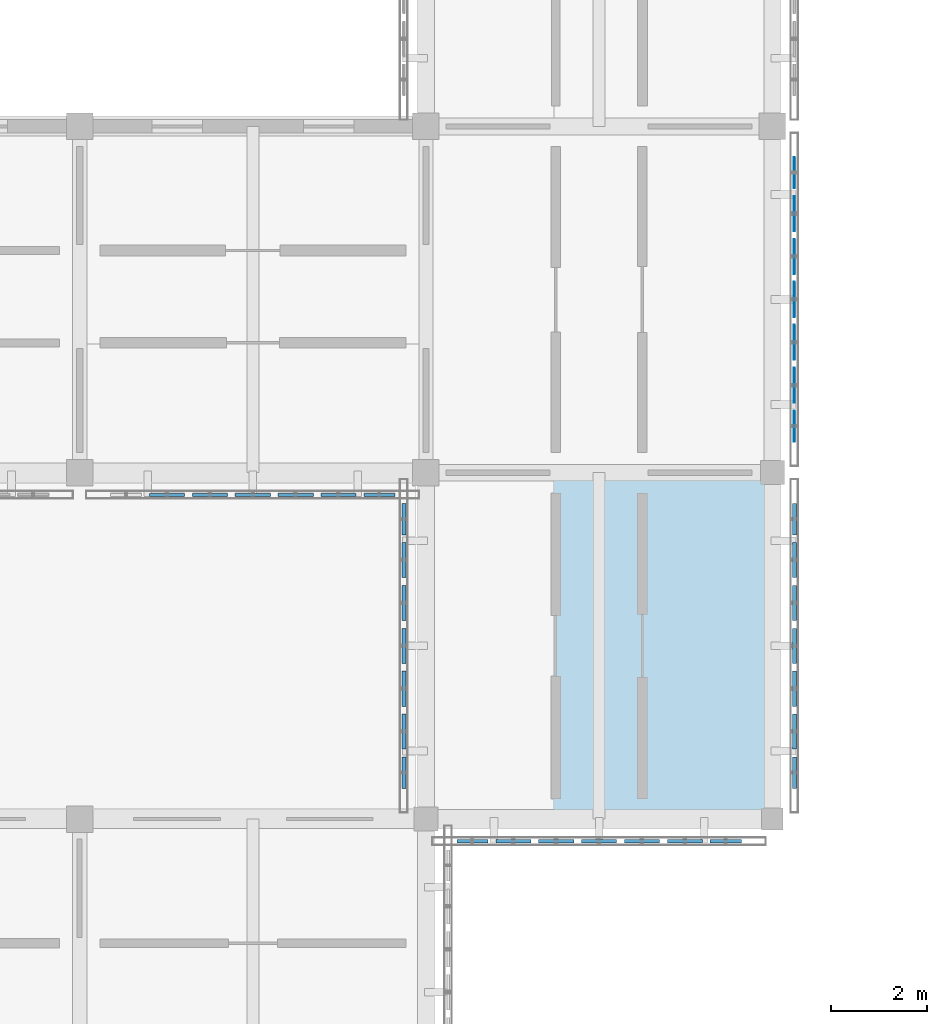
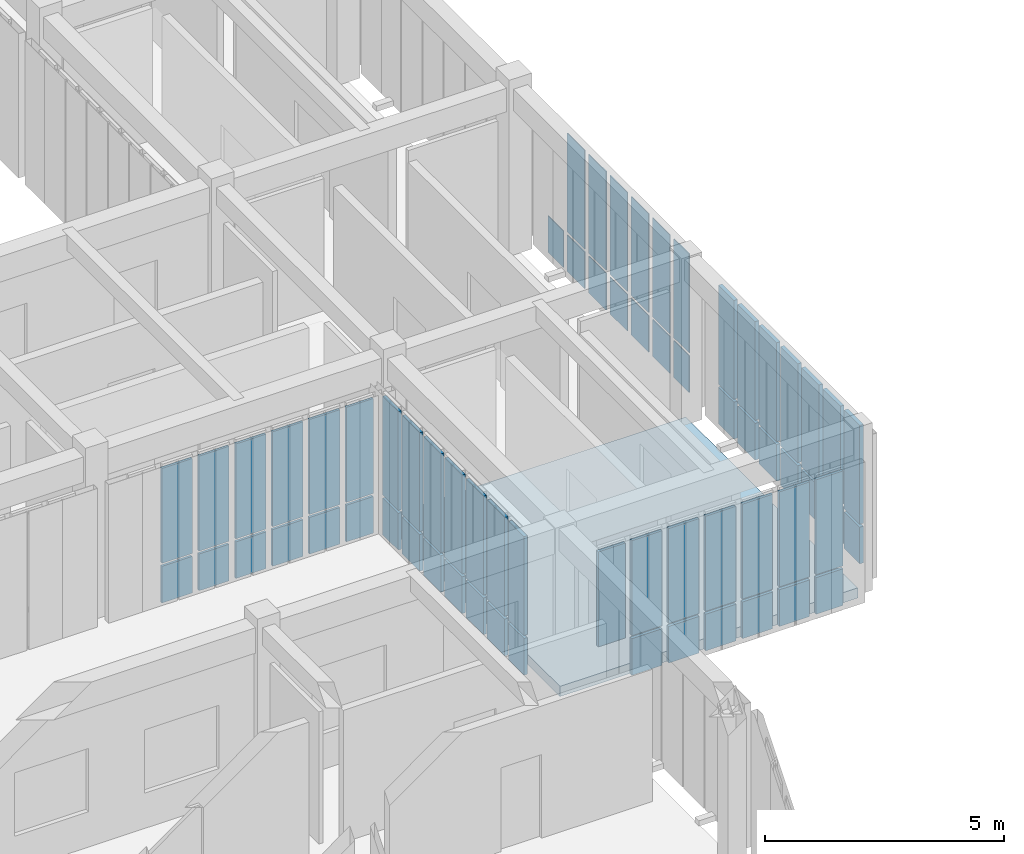
# One storey, part 48 of 91: 66 plates, 1 slab, 5 elements without a shape of their own.
"""IFC4 building model written with IfcOpenShell, lengths in metres."""

import ifcopenshell
import ifcopenshell.guid

model = None  # the IFC model being written
_history = None  # IfcOwnerHistory: only IFC2X3 demands one
_inside = {}  # id of a spatial element -> (the spatial element, [elements in it])
_under = {}  # id of a project, library or spatial element -> (it, [spatial elements below it])
_declared = {}  # id of a project -> (the project, [libraries it declares])
_typed = {}  # id of a type object -> (the type object, [elements of that type])
_made_of = {}  # id of a material, layer set ... -> (it, [elements and type objects made of it])


def new_model(schema):
    """Start an empty IFC model of exactly this schema.

    Asked for "IFC4X3", IfcOpenShell would pick the latest addendum, in which some entities
    have other attributes; the version numbers below select the first issue.
    IFC2X3 requires an IfcOwnerHistory on every rooted entity: one is made here for all.
    """
    global model, _history
    if schema == "IFC4X3":
        model = ifcopenshell.file(schema_version=(4, 3, 0, 0))
    else:
        model = ifcopenshell.file(schema=schema)
    _inside.clear()
    _under.clear()
    _declared.clear()
    _typed.clear()
    _made_of.clear()
    _history = None
    if model.schema == "IFC2X3":
        org = make("IfcOrganization", Name="unknown")
        user = make(
            "IfcPersonAndOrganization",
            ThePerson=make("IfcPerson", FamilyName="unknown"),
            TheOrganization=org,
        )
        app = make(
            "IfcApplication",
            ApplicationDeveloper=org,
            Version="unknown",
            ApplicationFullName="unknown",
            ApplicationIdentifier="unknown",
        )
        _history = make(
            "IfcOwnerHistory",
            OwningUser=user,
            OwningApplication=app,
            ChangeAction="ADDED",
            CreationDate=0,
        )
    return model


def make(cls, **values):
    """One entity of the class cls with the attributes given. An attribute that is None is left unset."""
    return model.create_entity(
        cls, **{name: value for name, value in values.items() if value is not None}
    )


def rooted(cls, **values):
    """An entity with a GlobalId (a new one), such as an element, a storey or a relation."""
    return make(cls, GlobalId=ifcopenshell.guid.new(), OwnerHistory=_history, **values)


def si_unit(unit_type, name, prefix=None):
    """IfcSIUnit, for example si_unit("LENGTHUNIT", "METRE", prefix="MILLI")."""
    return make("IfcSIUnit", UnitType=unit_type, Prefix=prefix, Name=name)


def assignment(units):
    """IfcUnitAssignment: the units of a project."""
    return None if units is None else make("IfcUnitAssignment", Units=units)


def point(xyz):
    """IfcCartesianPoint."""
    return None if xyz is None else make("IfcCartesianPoint", Coordinates=xyz)


def direction(xyz):
    """IfcDirection."""
    return None if xyz is None else make("IfcDirection", DirectionRatios=xyz)


def frame(location, z_axis=None, x_axis=None):
    """IfcAxis2Placement3D, a coordinate frame: its origin and axes. An axis left out is left unset."""
    return make(
        "IfcAxis2Placement3D",
        Location=point(location),
        Axis=direction(z_axis),
        RefDirection=direction(x_axis),
    )


def frame_2d(location, x_axis=None):
    """IfcAxis2Placement2D, a coordinate frame in the plane: its origin and x axis."""
    return make(
        "IfcAxis2Placement2D", Location=point(location), RefDirection=direction(x_axis)
    )


def origin():
    """The frame at (0, 0, 0) with its axes left unset."""
    return frame((0.0, 0.0, 0.0))


def origin_2d():
    """The frame at (0, 0) in the plane with its x axis left unset."""
    return frame_2d((0.0, 0.0))


def place(relative_to, where):
    """IfcLocalPlacement: puts the frame where relative to a parent placement (None: the world)."""
    return make(
        "IfcLocalPlacement", PlacementRelTo=relative_to, RelativePlacement=where
    )


def context(
    kind, dimensions, precision=None, world=None, true_north=None, identifier=None
):
    """IfcGeometricRepresentationContext, for example the 3D "Model" context."""
    return make(
        "IfcGeometricRepresentationContext",
        ContextIdentifier=identifier,
        ContextType=kind,
        CoordinateSpaceDimension=dimensions,
        Precision=precision,
        WorldCoordinateSystem=world,
        TrueNorth=true_north,
    )


def subcontext(parent, identifier, kind, view, scale=None):
    """IfcGeometricRepresentationSubContext, for example "Body" below "Model"."""
    return make(
        "IfcGeometricRepresentationSubContext",
        ContextIdentifier=identifier,
        ContextType=kind,
        ParentContext=parent,
        TargetScale=scale,
        TargetView=view,
    )


def project(units=None, contexts=None):
    """IfcProject with its units and contexts."""
    return rooted(
        "IfcProject",
        Name="project",
        RepresentationContexts=contexts,
        UnitsInContext=assignment(units),
    )


def spatial(cls, under=None, at=None, **own):
    """A site, building, storey or space (cls), placed at a placement, below another one or the project."""
    s = rooted(cls, ObjectPlacement=at, **own)
    if under is not None:
        _under.setdefault(under.id(), (under, []))[1].append(s)
    return s


def polyline(points):
    """IfcPolyline through the points."""
    return make("IfcPolyline", Points=[point(p) for p in points])


def profile(cls, at=None, kind="AREA", **sizes):
    """A parametric profile (cls). Its sizes go by their IFC names, for example OverallWidth=200.0."""
    return make(cls, ProfileType=kind, Position=at, **sizes)


def rectangle(**sizes):
    """IfcRectangleProfileDef."""
    return profile("IfcRectangleProfileDef", **sizes)


def outline(outer, holes=None, kind="AREA"):
    """IfcArbitraryClosedProfileDef: a profile drawn as a closed curve; with holes, ...WithVoids."""
    if holes is None:
        return make("IfcArbitraryClosedProfileDef", ProfileType=kind, OuterCurve=outer)
    return make(
        "IfcArbitraryProfileDefWithVoids",
        ProfileType=kind,
        OuterCurve=outer,
        InnerCurves=holes,
    )


def extrude(swept, where, along, depth):
    """IfcExtrudedAreaSolid: the profile swept, set in the frame where, extruded along a direction by depth."""
    return make(
        "IfcExtrudedAreaSolid",
        SweptArea=swept,
        Position=where,
        ExtrudedDirection=direction(along),
        Depth=depth,
    )


def shape(context_of_items, identifier, shape_type, items):
    """IfcShapeRepresentation: the items that make up one representation, for example the "Body"."""
    return make(
        "IfcShapeRepresentation",
        ContextOfItems=context_of_items,
        RepresentationIdentifier=identifier,
        RepresentationType=shape_type,
        Items=items,
    )


def material(Name=None, Category=None):
    """IfcMaterial."""
    return make("IfcMaterial", Name=Name, Category=Category)


def layer(
    of_material, thickness, ventilated=None, Name=None, Category=None, Priority=None
):
    """IfcMaterialLayer: one layer of a wall or slab, of a material (None: an air gap)."""
    return make(
        "IfcMaterialLayer",
        Material=of_material,
        LayerThickness=thickness,
        IsVentilated=ventilated,
        Name=Name,
        Category=Category,
        Priority=Priority,
    )


def layer_set(layers, Name=None):
    """IfcMaterialLayerSet."""
    return make("IfcMaterialLayerSet", MaterialLayers=layers, LayerSetName=Name)


def made_of(thing, what):
    """Note that an element or type object is made of a material, layer set ...; save() writes the relation."""
    if what is not None:
        _made_of.setdefault(what.id(), (what, []))[1].append(thing)
    return thing


def type_object(cls, material=None, **own):
    """A type object (cls), such as IfcWallType, which elements share."""
    return made_of(rooted(cls, **own), material)


def element(
    cls,
    number,
    at=None,
    inside=None,
    cuts=None,
    type_object=None,
    material=None,
    context=None,
    identifier="Body",
    shape_type=None,
    held_by="IfcProductDefinitionShape",
    body=None,
    shapes=None,
    **own,
):
    """One element of the class cls, such as IfcWall. Its Tag is "e" and its number.

    at: its placement. inside: the storey or other place that contains it. cuts: it is an
    opening in that element (IfcRelVoidsElement). A single representation is given by context,
    identifier, shape_type and body (its items); several are given by shapes. held_by: the class
    of the entity that holds the representations. save() writes the other relations.
    """
    e = rooted(cls, Tag="e%d" % number, ObjectPlacement=at, **own)
    if body is not None:
        shapes = [shape(context, identifier, shape_type, body)]
    if shapes is not None:
        e.Representation = make(held_by, Representations=shapes)
    if inside is not None:
        _inside.setdefault(inside.id(), (inside, []))[1].append(e)
    if cuts is not None:
        rooted(
            "IfcRelVoidsElement", RelatingBuildingElement=cuts, RelatedOpeningElement=e
        )
    if type_object is not None:
        _typed.setdefault(type_object.id(), (type_object, []))[1].append(e)
    return made_of(e, material)


def aggregate(whole, parts):
    """IfcRelAggregates: a whole, such as a stair, and the parts it consists of."""
    return rooted("IfcRelAggregates", RelatingObject=whole, RelatedObjects=parts)


def save(model, path):
    """Write the relations noted so far, then the file.

    IfcRelAggregates (storeys below a building ...), IfcRelContainedInSpatialStructure (elements
    in a storey), IfcRelDefinesByType, IfcRelAssociatesMaterial and IfcRelDeclares: one each for
    every whole, place, type object, material and project.
    """
    for whole, parts in _under.values():
        aggregate(whole, parts)
    for where, things in _inside.values():
        rooted(
            "IfcRelContainedInSpatialStructure",
            RelatedElements=things,
            RelatingStructure=where,
        )
    for kind, things in _typed.values():
        rooted("IfcRelDefinesByType", RelatedObjects=things, RelatingType=kind)
    for what, things in _made_of.values():
        rooted("IfcRelAssociatesMaterial", RelatedObjects=things, RelatingMaterial=what)
    for by, libraries in _declared.values():
        rooted("IfcRelDeclares", RelatingContext=by, RelatedDefinitions=libraries)
    model.write(path)


model = new_model("IFC4")

# Units and contexts
model_context = context("Model", 3, precision=1e-05, world=origin(), true_north=direction((0.0, 1.0)))
body_context = subcontext(model_context, "Body", "Model", "MODEL_VIEW")
ifc_project = project(units=[si_unit("LENGTHUNIT", "METRE"), si_unit("AREAUNIT", "SQUARE_METRE"), si_unit("VOLUMEUNIT", "CUBIC_METRE"), si_unit("PLANEANGLEUNIT", "RADIAN"), si_unit("MASSUNIT", "GRAM", prefix="KILO")], contexts=[model_context])

# Site, building, storey
site_placement = place(None, origin())
site = spatial("IfcSite", under=ifc_project, at=site_placement, CompositionType="ELEMENT")
building_placement = place(site_placement, origin())
building = spatial("IfcBuilding", under=site, at=building_placement, Name="Aldebral Square Health Centre", CompositionType="ELEMENT")
storey_placement = place(building_placement, frame((0.0, 0.0, 9.0)))
storey = spatial("IfcBuildingStorey", under=building, at=storey_placement, Name="L02", CompositionType="ELEMENT", Elevation=9.0)

# Curtain wall, plates
ifc_material_1 = material(Name="Aluminium and low-E solar glass", Category="aluminium")
curtain_wall_type = type_object("IfcCurtainWallType", Name="CW-FIN-SYS", PredefinedType="USERDEFINED", material=ifc_material_1)
curtain_wall_1_placement = place(storey_placement, origin())
curtain_wall_1 = element("IfcCurtainWall", 1, at=curtain_wall_1_placement, inside=storey, type_object=curtain_wall_type, Name="L02 V4 finned curtain wall L02-V4-03-08-E", ObjectType="SOLAR_CURTAIN_WALL", PredefinedType="USERDEFINED")
ifc_material_2 = material(Name="Solar-control low-E double glass", Category="glass")
ifc_layer_1 = layer(ifc_material_2, 0.02001953125, Name="Solar-control low-E double glass", Category="glass")
ifc_layer_set_1 = layer_set([ifc_layer_1], Name="Solar-control low-E double glass")
plate_type_1 = type_object("IfcPlateType", Name="CWP-GLZ-1", PredefinedType="CURTAIN_PANEL", material=ifc_layer_set_1)
plate_1_placement = place(storey_placement, frame((29.260009765625, 58.565673828125, 0.074951171875), z_axis=(0.0, 0.0, 1.0), x_axis=(0.0, 1.0, 0.0)))
plate_1 = element("IfcPlate", 2, at=plate_1_placement, type_object=plate_type_1, Name="CW1 panel 1.1", PredefinedType="CURTAIN_PANEL", context=body_context, shape_type="SweptSolid", body=[
    extrude(rectangle(XDim=0.6513671875, YDim=0.02001953125, at=origin_2d()), origin(), (0.0, 0.0, 1.0), 0.9375),
])
plate_2_placement = place(storey_placement, frame((29.260009765625, 58.565673828125, 1.08740234375), z_axis=(0.0, 0.0, 1.0), x_axis=(0.0, 1.0, 0.0)))
plate_2 = element("IfcPlate", 3, at=plate_2_placement, type_object=plate_type_1, Name="CW1 panel 1.2", PredefinedType="CURTAIN_PANEL", context=body_context, shape_type="SweptSolid", body=[
    extrude(rectangle(XDim=0.6513671875, YDim=0.02001953125, at=origin_2d()), origin(), (0.0, 0.0, 1.0), 2.527587890625),
])
plate_3_placement = place(storey_placement, frame((29.260009765625, 59.417236328125, 0.074951171875), z_axis=(0.0, 0.0, 1.0), x_axis=(0.0, 1.0, 0.0)))
plate_3 = element("IfcPlate", 4, at=plate_3_placement, type_object=plate_type_1, Name="CW1 panel 2.1", PredefinedType="CURTAIN_PANEL", context=body_context, shape_type="SweptSolid", body=[
    extrude(rectangle(XDim=0.7314453125, YDim=0.02001953125, at=origin_2d()), origin(), (0.0, 0.0, 1.0), 0.9375),
])
plate_4_placement = place(storey_placement, frame((29.260009765625, 59.417236328125, 1.08740234375), z_axis=(0.0, 0.0, 1.0), x_axis=(0.0, 1.0, 0.0)))
plate_4 = element("IfcPlate", 5, at=plate_4_placement, type_object=plate_type_1, Name="CW1 panel 2.2", PredefinedType="CURTAIN_PANEL", context=body_context, shape_type="SweptSolid", body=[
    extrude(rectangle(XDim=0.7314453125, YDim=0.02001953125, at=origin_2d()), origin(), (0.0, 0.0, 1.0), 2.527587890625),
])
plate_5_placement = place(storey_placement, frame((29.260009765625, 60.30859375, 0.074951171875), z_axis=(0.0, 0.0, 1.0), x_axis=(0.0, 1.0, 0.0)))
plate_5 = element("IfcPlate", 6, at=plate_5_placement, type_object=plate_type_1, Name="CW1 panel 3.1", PredefinedType="CURTAIN_PANEL", context=body_context, shape_type="SweptSolid", body=[
    extrude(rectangle(XDim=0.7314453125, YDim=0.02001953125, at=origin_2d()), origin(), (0.0, 0.0, 1.0), 0.9375),
])
plate_6_placement = place(storey_placement, frame((29.260009765625, 60.30859375, 1.08740234375), z_axis=(0.0, 0.0, 1.0), x_axis=(0.0, 1.0, 0.0)))
plate_6 = element("IfcPlate", 7, at=plate_6_placement, type_object=plate_type_1, Name="CW1 panel 3.2", PredefinedType="CURTAIN_PANEL", context=body_context, shape_type="SweptSolid", body=[
    extrude(rectangle(XDim=0.7314453125, YDim=0.02001953125, at=origin_2d()), origin(), (0.0, 0.0, 1.0), 2.527587890625),
])
plate_7_placement = place(storey_placement, frame((29.260009765625, 61.199951171875, 0.074951171875), z_axis=(0.0, 0.0, 1.0), x_axis=(0.0, 1.0, 0.0)))
plate_7 = element("IfcPlate", 8, at=plate_7_placement, type_object=plate_type_1, Name="CW1 panel 4.1", PredefinedType="CURTAIN_PANEL", context=body_context, shape_type="SweptSolid", body=[
    extrude(rectangle(XDim=0.7314453125, YDim=0.02001953125, at=origin_2d()), origin(), (0.0, 0.0, 1.0), 0.9375),
])
plate_8_placement = place(storey_placement, frame((29.260009765625, 61.199951171875, 1.08740234375), z_axis=(0.0, 0.0, 1.0), x_axis=(0.0, 1.0, 0.0)))
plate_8 = element("IfcPlate", 9, at=plate_8_placement, type_object=plate_type_1, Name="CW1 panel 4.2", PredefinedType="CURTAIN_PANEL", context=body_context, shape_type="SweptSolid", body=[
    extrude(rectangle(XDim=0.7314453125, YDim=0.02001953125, at=origin_2d()), origin(), (0.0, 0.0, 1.0), 2.527587890625),
])
plate_9_placement = place(storey_placement, frame((29.260009765625, 62.09130859375, 0.074951171875), z_axis=(0.0, 0.0, 1.0), x_axis=(0.0, 1.0, 0.0)))
plate_9 = element("IfcPlate", 10, at=plate_9_placement, type_object=plate_type_1, Name="CW1 panel 5.1", PredefinedType="CURTAIN_PANEL", context=body_context, shape_type="SweptSolid", body=[
    extrude(rectangle(XDim=0.7314453125, YDim=0.02001953125, at=origin_2d()), origin(), (0.0, 0.0, 1.0), 0.9375),
])
plate_10_placement = place(storey_placement, frame((29.260009765625, 62.09130859375, 1.08740234375), z_axis=(0.0, 0.0, 1.0), x_axis=(0.0, 1.0, 0.0)))
plate_10 = element("IfcPlate", 11, at=plate_10_placement, type_object=plate_type_1, Name="CW1 panel 5.2", PredefinedType="CURTAIN_PANEL", context=body_context, shape_type="SweptSolid", body=[
    extrude(rectangle(XDim=0.7314453125, YDim=0.02001953125, at=origin_2d()), origin(), (0.0, 0.0, 1.0), 2.527587890625),
])
plate_11_placement = place(storey_placement, frame((29.260009765625, 62.98291015625, 0.074951171875), z_axis=(0.0, 0.0, 1.0), x_axis=(0.0, 1.0, 0.0)))
plate_11 = element("IfcPlate", 12, at=plate_11_placement, type_object=plate_type_1, Name="CW1 panel 6.1", PredefinedType="CURTAIN_PANEL", context=body_context, shape_type="SweptSolid", body=[
    extrude(rectangle(XDim=0.7314453125, YDim=0.02001953125, at=origin_2d()), origin(), (0.0, 0.0, 1.0), 0.9375),
])
plate_12_placement = place(storey_placement, frame((29.260009765625, 62.98291015625, 1.08740234375), z_axis=(0.0, 0.0, 1.0), x_axis=(0.0, 1.0, 0.0)))
plate_12 = element("IfcPlate", 13, at=plate_12_placement, type_object=plate_type_1, Name="CW1 panel 6.2", PredefinedType="CURTAIN_PANEL", context=body_context, shape_type="SweptSolid", body=[
    extrude(rectangle(XDim=0.7314453125, YDim=0.02001953125, at=origin_2d()), origin(), (0.0, 0.0, 1.0), 2.527587890625),
])
plate_13_placement = place(storey_placement, frame((29.260009765625, 63.834228515625, 0.074951171875), z_axis=(0.0, 0.0, 1.0), x_axis=(0.0, 1.0, 0.0)))
plate_13 = element("IfcPlate", 14, at=plate_13_placement, type_object=plate_type_1, Name="CW1 panel 7.1", PredefinedType="CURTAIN_PANEL", context=body_context, shape_type="SweptSolid", body=[
    extrude(rectangle(XDim=0.6513671875, YDim=0.02001953125, at=origin_2d()), origin(), (0.0, 0.0, 1.0), 0.9375),
])
aggregate(curtain_wall_1, [plate_1, plate_2, plate_3, plate_4, plate_5, plate_6, plate_7, plate_8, plate_9, plate_10, plate_11, plate_12, plate_13])

curtain_wall_2_placement = place(storey_placement, origin())
curtain_wall_2 = element("IfcCurtainWall", 15, at=curtain_wall_2_placement, inside=storey, type_object=curtain_wall_type, Name="L02 V4 finned curtain wall L02-V4-02-08-S", ObjectType="SOLAR_CURTAIN_WALL", PredefinedType="USERDEFINED")
ifc_layer_2 = layer(ifc_material_2, 0.06005859375, Name="Solar-control low-E double glass", Category="glass")
ifc_layer_set_2 = layer_set([ifc_layer_2], Name="Solar-control low-E double glass")
plate_type_2 = type_object("IfcPlateType", Name="CWP-GLZ-5", PredefinedType="CURTAIN_PANEL", material=ifc_layer_set_2)
plate_14_placement = place(storey_placement, frame((16.217041015625, 57.139892578125, 0.074951171875), z_axis=(0.0, 0.0, 1.0), x_axis=(1.0, 0.0, 0.0)))
plate_14 = element("IfcPlate", 16, at=plate_14_placement, type_object=plate_type_2, Name="CW1 panel 2.1", PredefinedType="CURTAIN_PANEL", context=body_context, shape_type="SweptSolid", body=[
    extrude(rectangle(XDim=0.7314453125, YDim=0.06005859375, at=origin_2d()), origin(), (0.0, 0.0, 1.0), 0.9375),
])
plate_15_placement = place(storey_placement, frame((16.217041015625, 57.139892578125, 1.08740234375), z_axis=(0.0, 0.0, 1.0), x_axis=(1.0, 0.0, 0.0)))
plate_15 = element("IfcPlate", 17, at=plate_15_placement, type_object=plate_type_2, Name="CW1 panel 2.2", PredefinedType="CURTAIN_PANEL", context=body_context, shape_type="SweptSolid", body=[
    extrude(rectangle(XDim=0.7314453125, YDim=0.06005859375, at=origin_2d()), origin(), (0.0, 0.0, 1.0), 2.427490234375),
])
plate_16_placement = place(storey_placement, frame((17.108642578125, 57.139892578125, 0.074951171875), z_axis=(0.0, 0.0, 1.0), x_axis=(1.0, 0.0, 0.0)))
plate_16 = element("IfcPlate", 18, at=plate_16_placement, type_object=plate_type_2, Name="CW1 panel 3.1", PredefinedType="CURTAIN_PANEL", context=body_context, shape_type="SweptSolid", body=[
    extrude(rectangle(XDim=0.7314453125, YDim=0.06005859375, at=origin_2d()), origin(), (0.0, 0.0, 1.0), 0.9375),
])
plate_17_placement = place(storey_placement, frame((17.108642578125, 57.139892578125, 1.08740234375), z_axis=(0.0, 0.0, 1.0), x_axis=(1.0, 0.0, 0.0)))
plate_17 = element("IfcPlate", 19, at=plate_17_placement, type_object=plate_type_2, Name="CW1 panel 3.2", PredefinedType="CURTAIN_PANEL", context=body_context, shape_type="SweptSolid", body=[
    extrude(rectangle(XDim=0.7314453125, YDim=0.06005859375, at=origin_2d()), origin(), (0.0, 0.0, 1.0), 2.427490234375),
])
plate_18_placement = place(storey_placement, frame((18.0, 57.139892578125, 0.074951171875), z_axis=(0.0, 0.0, 1.0), x_axis=(1.0, 0.0, 0.0)))
plate_18 = element("IfcPlate", 20, at=plate_18_placement, type_object=plate_type_2, Name="CW1 panel 4.1", PredefinedType="CURTAIN_PANEL", context=body_context, shape_type="SweptSolid", body=[
    extrude(rectangle(XDim=0.7314453125, YDim=0.06005859375, at=origin_2d()), origin(), (0.0, 0.0, 1.0), 0.9375),
])
plate_19_placement = place(storey_placement, frame((18.0, 57.139892578125, 1.08740234375), z_axis=(0.0, 0.0, 1.0), x_axis=(1.0, 0.0, 0.0)))
plate_19 = element("IfcPlate", 21, at=plate_19_placement, type_object=plate_type_2, Name="CW1 panel 4.2", PredefinedType="CURTAIN_PANEL", context=body_context, shape_type="SweptSolid", body=[
    extrude(rectangle(XDim=0.7314453125, YDim=0.06005859375, at=origin_2d()), origin(), (0.0, 0.0, 1.0), 2.427490234375),
])
plate_20_placement = place(storey_placement, frame((18.891357421875, 57.139892578125, 0.074951171875), z_axis=(0.0, 0.0, 1.0), x_axis=(1.0, 0.0, 0.0)))
plate_20 = element("IfcPlate", 22, at=plate_20_placement, type_object=plate_type_2, Name="CW1 panel 5.1", PredefinedType="CURTAIN_PANEL", context=body_context, shape_type="SweptSolid", body=[
    extrude(rectangle(XDim=0.7314453125, YDim=0.06005859375, at=origin_2d()), origin(), (0.0, 0.0, 1.0), 0.9375),
])
plate_21_placement = place(storey_placement, frame((18.891357421875, 57.139892578125, 1.08740234375), z_axis=(0.0, 0.0, 1.0), x_axis=(1.0, 0.0, 0.0)))
plate_21 = element("IfcPlate", 23, at=plate_21_placement, type_object=plate_type_2, Name="CW1 panel 5.2", PredefinedType="CURTAIN_PANEL", context=body_context, shape_type="SweptSolid", body=[
    extrude(rectangle(XDim=0.7314453125, YDim=0.06005859375, at=origin_2d()), origin(), (0.0, 0.0, 1.0), 2.427490234375),
])
plate_22_placement = place(storey_placement, frame((19.782958984375, 57.139892578125, 0.074951171875), z_axis=(0.0, 0.0, 1.0), x_axis=(1.0, 0.0, 0.0)))
plate_22 = element("IfcPlate", 24, at=plate_22_placement, type_object=plate_type_2, Name="CW1 panel 6.1", PredefinedType="CURTAIN_PANEL", context=body_context, shape_type="SweptSolid", body=[
    extrude(rectangle(XDim=0.7314453125, YDim=0.06005859375, at=origin_2d()), origin(), (0.0, 0.0, 1.0), 0.9375),
])
plate_23_placement = place(storey_placement, frame((19.782958984375, 57.139892578125, 1.08740234375), z_axis=(0.0, 0.0, 1.0), x_axis=(1.0, 0.0, 0.0)))
plate_23 = element("IfcPlate", 25, at=plate_23_placement, type_object=plate_type_2, Name="CW1 panel 6.2", PredefinedType="CURTAIN_PANEL", context=body_context, shape_type="SweptSolid", body=[
    extrude(rectangle(XDim=0.7314453125, YDim=0.06005859375, at=origin_2d()), origin(), (0.0, 0.0, 1.0), 2.427490234375),
])
plate_24_placement = place(storey_placement, frame((20.63427734375, 57.139892578125, 0.074951171875), z_axis=(0.0, 0.0, 1.0), x_axis=(1.0, 0.0, 0.0)))
plate_24 = element("IfcPlate", 26, at=plate_24_placement, type_object=plate_type_2, Name="CW1 panel 7.1", PredefinedType="CURTAIN_PANEL", context=body_context, shape_type="SweptSolid", body=[
    extrude(rectangle(XDim=0.6513671875, YDim=0.06005859375, at=origin_2d()), origin(), (0.0, 0.0, 1.0), 0.9375),
])
plate_25_placement = place(storey_placement, frame((20.63427734375, 57.139892578125, 1.08740234375), z_axis=(0.0, 0.0, 1.0), x_axis=(1.0, 0.0, 0.0)))
plate_25 = element("IfcPlate", 27, at=plate_25_placement, type_object=plate_type_2, Name="CW1 panel 7.2", PredefinedType="CURTAIN_PANEL", context=body_context, shape_type="SweptSolid", body=[
    extrude(rectangle(XDim=0.6513671875, YDim=0.06005859375, at=origin_2d()), origin(), (0.0, 0.0, 1.0), 2.427490234375),
])
aggregate(curtain_wall_2, [plate_14, plate_15, plate_16, plate_17, plate_18, plate_19, plate_20, plate_21, plate_22, plate_23, plate_24, plate_25])

curtain_wall_3_placement = place(storey_placement, origin())
curtain_wall_3 = element("IfcCurtainWall", 28, at=curtain_wall_3_placement, inside=storey, type_object=curtain_wall_type, Name="L02 V4 finned curtain wall L02-V4-03-07-S", ObjectType="SOLAR_CURTAIN_WALL", PredefinedType="USERDEFINED")
ifc_layer_3 = layer(ifc_material_2, 0.070068359375, Name="Solar-control low-E double glass", Category="glass")
ifc_layer_set_3 = layer_set([ifc_layer_3], Name="Solar-control low-E double glass")
plate_type_3 = type_object("IfcPlateType", Name="CWP-GLZ-6", PredefinedType="CURTAIN_PANEL", material=ifc_layer_set_3)
plate_26_placement = place(storey_placement, frame((22.565673828125, 49.93994140625, 1.08740234375), z_axis=(0.0, 0.0, 1.0), x_axis=(1.0, 0.0, 0.0)))
plate_26 = element("IfcPlate", 29, at=plate_26_placement, type_object=plate_type_3, Name="CW1 panel 1.2", PredefinedType="CURTAIN_PANEL", context=body_context, shape_type="SweptSolid", body=[
    extrude(rectangle(XDim=0.6513671875, YDim=0.070068359375, at=origin_2d()), origin(), (0.0, 0.0, 1.0), 2.427490234375),
])
plate_27_placement = place(storey_placement, frame((23.417236328125, 49.93994140625, 0.074951171875), z_axis=(0.0, 0.0, 1.0), x_axis=(1.0, 0.0, 0.0)))
plate_27 = element("IfcPlate", 30, at=plate_27_placement, type_object=plate_type_3, Name="CW1 panel 2.1", PredefinedType="CURTAIN_PANEL", context=body_context, shape_type="SweptSolid", body=[
    extrude(rectangle(XDim=0.7314453125, YDim=0.070068359375, at=origin_2d()), origin(), (0.0, 0.0, 1.0), 0.9375),
])
plate_28_placement = place(storey_placement, frame((23.417236328125, 49.93994140625, 1.08740234375), z_axis=(0.0, 0.0, 1.0), x_axis=(1.0, 0.0, 0.0)))
plate_28 = element("IfcPlate", 31, at=plate_28_placement, type_object=plate_type_3, Name="CW1 panel 2.2", PredefinedType="CURTAIN_PANEL", context=body_context, shape_type="SweptSolid", body=[
    extrude(rectangle(XDim=0.7314453125, YDim=0.070068359375, at=origin_2d()), origin(), (0.0, 0.0, 1.0), 2.427490234375),
])
plate_29_placement = place(storey_placement, frame((24.30859375, 49.93994140625, 0.074951171875), z_axis=(0.0, 0.0, 1.0), x_axis=(1.0, 0.0, 0.0)))
plate_29 = element("IfcPlate", 32, at=plate_29_placement, type_object=plate_type_3, Name="CW1 panel 3.1", PredefinedType="CURTAIN_PANEL", context=body_context, shape_type="SweptSolid", body=[
    extrude(rectangle(XDim=0.7314453125, YDim=0.070068359375, at=origin_2d()), origin(), (0.0, 0.0, 1.0), 0.9375),
])
plate_30_placement = place(storey_placement, frame((24.30859375, 49.93994140625, 1.08740234375), z_axis=(0.0, 0.0, 1.0), x_axis=(1.0, 0.0, 0.0)))
plate_30 = element("IfcPlate", 33, at=plate_30_placement, type_object=plate_type_3, Name="CW1 panel 3.2", PredefinedType="CURTAIN_PANEL", context=body_context, shape_type="SweptSolid", body=[
    extrude(rectangle(XDim=0.7314453125, YDim=0.070068359375, at=origin_2d()), origin(), (0.0, 0.0, 1.0), 2.427490234375),
])
plate_31_placement = place(storey_placement, frame((25.199951171875, 49.93994140625, 0.074951171875), z_axis=(0.0, 0.0, 1.0), x_axis=(1.0, 0.0, 0.0)))
plate_31 = element("IfcPlate", 34, at=plate_31_placement, type_object=plate_type_3, Name="CW1 panel 4.1", PredefinedType="CURTAIN_PANEL", context=body_context, shape_type="SweptSolid", body=[
    extrude(rectangle(XDim=0.7314453125, YDim=0.070068359375, at=origin_2d()), origin(), (0.0, 0.0, 1.0), 0.9375),
])
plate_32_placement = place(storey_placement, frame((25.199951171875, 49.93994140625, 1.08740234375), z_axis=(0.0, 0.0, 1.0), x_axis=(1.0, 0.0, 0.0)))
plate_32 = element("IfcPlate", 35, at=plate_32_placement, type_object=plate_type_3, Name="CW1 panel 4.2", PredefinedType="CURTAIN_PANEL", context=body_context, shape_type="SweptSolid", body=[
    extrude(rectangle(XDim=0.7314453125, YDim=0.070068359375, at=origin_2d()), origin(), (0.0, 0.0, 1.0), 2.427490234375),
])
plate_33_placement = place(storey_placement, frame((26.09130859375, 49.93994140625, 0.074951171875), z_axis=(0.0, 0.0, 1.0), x_axis=(1.0, 0.0, 0.0)))
plate_33 = element("IfcPlate", 36, at=plate_33_placement, type_object=plate_type_3, Name="CW1 panel 5.1", PredefinedType="CURTAIN_PANEL", context=body_context, shape_type="SweptSolid", body=[
    extrude(rectangle(XDim=0.7314453125, YDim=0.070068359375, at=origin_2d()), origin(), (0.0, 0.0, 1.0), 0.9375),
])
plate_34_placement = place(storey_placement, frame((26.09130859375, 49.93994140625, 1.08740234375), z_axis=(0.0, 0.0, 1.0), x_axis=(1.0, 0.0, 0.0)))
plate_34 = element("IfcPlate", 37, at=plate_34_placement, type_object=plate_type_3, Name="CW1 panel 5.2", PredefinedType="CURTAIN_PANEL", context=body_context, shape_type="SweptSolid", body=[
    extrude(rectangle(XDim=0.7314453125, YDim=0.070068359375, at=origin_2d()), origin(), (0.0, 0.0, 1.0), 2.427490234375),
])
plate_35_placement = place(storey_placement, frame((26.98291015625, 49.93994140625, 0.074951171875), z_axis=(0.0, 0.0, 1.0), x_axis=(1.0, 0.0, 0.0)))
plate_35 = element("IfcPlate", 38, at=plate_35_placement, type_object=plate_type_3, Name="CW1 panel 6.1", PredefinedType="CURTAIN_PANEL", context=body_context, shape_type="SweptSolid", body=[
    extrude(rectangle(XDim=0.7314453125, YDim=0.070068359375, at=origin_2d()), origin(), (0.0, 0.0, 1.0), 0.9375),
])
plate_36_placement = place(storey_placement, frame((26.98291015625, 49.93994140625, 1.08740234375), z_axis=(0.0, 0.0, 1.0), x_axis=(1.0, 0.0, 0.0)))
plate_36 = element("IfcPlate", 39, at=plate_36_placement, type_object=plate_type_3, Name="CW1 panel 6.2", PredefinedType="CURTAIN_PANEL", context=body_context, shape_type="SweptSolid", body=[
    extrude(rectangle(XDim=0.7314453125, YDim=0.070068359375, at=origin_2d()), origin(), (0.0, 0.0, 1.0), 2.427490234375),
])
plate_37_placement = place(storey_placement, frame((27.834228515625, 49.93994140625, 0.074951171875), z_axis=(0.0, 0.0, 1.0), x_axis=(1.0, 0.0, 0.0)))
plate_37 = element("IfcPlate", 40, at=plate_37_placement, type_object=plate_type_3, Name="CW1 panel 7.1", PredefinedType="CURTAIN_PANEL", context=body_context, shape_type="SweptSolid", body=[
    extrude(rectangle(XDim=0.6513671875, YDim=0.070068359375, at=origin_2d()), origin(), (0.0, 0.0, 1.0), 0.9375),
])
plate_38_placement = place(storey_placement, frame((27.834228515625, 49.93994140625, 1.08740234375), z_axis=(0.0, 0.0, 1.0), x_axis=(1.0, 0.0, 0.0)))
plate_38 = element("IfcPlate", 41, at=plate_38_placement, type_object=plate_type_3, Name="CW1 panel 7.2", PredefinedType="CURTAIN_PANEL", context=body_context, shape_type="SweptSolid", body=[
    extrude(rectangle(XDim=0.6513671875, YDim=0.070068359375, at=origin_2d()), origin(), (0.0, 0.0, 1.0), 2.427490234375),
])
aggregate(curtain_wall_3, [plate_26, plate_27, plate_28, plate_29, plate_30, plate_31, plate_32, plate_33, plate_34, plate_35, plate_36, plate_37, plate_38])

curtain_wall_4_placement = place(storey_placement, origin())
curtain_wall_4 = element("IfcCurtainWall", 42, at=curtain_wall_4_placement, inside=storey, type_object=curtain_wall_type, Name="L02 V4 finned curtain wall L02-V4-03-07-W", ObjectType="SOLAR_CURTAIN_WALL", PredefinedType="USERDEFINED")
ifc_layer_4 = layer(ifc_material_2, 0.080078125, Name="Solar-control low-E double glass", Category="glass")
ifc_layer_set_4 = layer_set([ifc_layer_4], Name="Solar-control low-E double glass")
plate_type_4 = type_object("IfcPlateType", Name="CWP-GLZ-7", PredefinedType="CURTAIN_PANEL", material=ifc_layer_set_4)
plate_39_placement = place(storey_placement, frame((21.139892578125, 56.63427734375, 0.074951171875), z_axis=(0.0, 0.0, 1.0), x_axis=(0.0, -1.0, 0.0)))
plate_39 = element("IfcPlate", 43, at=plate_39_placement, type_object=plate_type_4, Name="CW1 panel 1.1", PredefinedType="CURTAIN_PANEL", context=body_context, shape_type="SweptSolid", body=[
    extrude(rectangle(XDim=0.6513671875, YDim=0.080078125, at=origin_2d()), origin(), (0.0, 0.0, 1.0), 0.9375),
])
plate_40_placement = place(storey_placement, frame((21.139892578125, 56.63427734375, 1.08740234375), z_axis=(0.0, 0.0, 1.0), x_axis=(0.0, -1.0, 0.0)))
plate_40 = element("IfcPlate", 44, at=plate_40_placement, type_object=plate_type_4, Name="CW1 panel 1.2", PredefinedType="CURTAIN_PANEL", context=body_context, shape_type="SweptSolid", body=[
    extrude(rectangle(XDim=0.6513671875, YDim=0.080078125, at=origin_2d()), origin(), (0.0, 0.0, 1.0), 2.527587890625),
])
plate_41_placement = place(storey_placement, frame((21.139892578125, 55.782958984375, 0.074951171875), z_axis=(0.0, 0.0, 1.0), x_axis=(0.0, -1.0, 0.0)))
plate_41 = element("IfcPlate", 45, at=plate_41_placement, type_object=plate_type_4, Name="CW1 panel 2.1", PredefinedType="CURTAIN_PANEL", context=body_context, shape_type="SweptSolid", body=[
    extrude(rectangle(XDim=0.7314453125, YDim=0.080078125, at=origin_2d()), origin(), (0.0, 0.0, 1.0), 0.9375),
])
plate_42_placement = place(storey_placement, frame((21.139892578125, 55.782958984375, 1.08740234375), z_axis=(0.0, 0.0, 1.0), x_axis=(0.0, -1.0, 0.0)))
plate_42 = element("IfcPlate", 46, at=plate_42_placement, type_object=plate_type_4, Name="CW1 panel 2.2", PredefinedType="CURTAIN_PANEL", context=body_context, shape_type="SweptSolid", body=[
    extrude(rectangle(XDim=0.7314453125, YDim=0.080078125, at=origin_2d()), origin(), (0.0, 0.0, 1.0), 2.527587890625),
])
plate_43_placement = place(storey_placement, frame((21.139892578125, 54.891357421875, 0.074951171875), z_axis=(0.0, 0.0, 1.0), x_axis=(0.0, -1.0, 0.0)))
plate_43 = element("IfcPlate", 47, at=plate_43_placement, type_object=plate_type_4, Name="CW1 panel 3.1", PredefinedType="CURTAIN_PANEL", context=body_context, shape_type="SweptSolid", body=[
    extrude(rectangle(XDim=0.7314453125, YDim=0.080078125, at=origin_2d()), origin(), (0.0, 0.0, 1.0), 0.9375),
])
plate_44_placement = place(storey_placement, frame((21.139892578125, 54.891357421875, 1.08740234375), z_axis=(0.0, 0.0, 1.0), x_axis=(0.0, -1.0, 0.0)))
plate_44 = element("IfcPlate", 48, at=plate_44_placement, type_object=plate_type_4, Name="CW1 panel 3.2", PredefinedType="CURTAIN_PANEL", context=body_context, shape_type="SweptSolid", body=[
    extrude(rectangle(XDim=0.7314453125, YDim=0.080078125, at=origin_2d()), origin(), (0.0, 0.0, 1.0), 2.527587890625),
])
plate_45_placement = place(storey_placement, frame((21.139892578125, 54.0, 0.074951171875), z_axis=(0.0, 0.0, 1.0), x_axis=(0.0, -1.0, 0.0)))
plate_45 = element("IfcPlate", 49, at=plate_45_placement, type_object=plate_type_4, Name="CW1 panel 4.1", PredefinedType="CURTAIN_PANEL", context=body_context, shape_type="SweptSolid", body=[
    extrude(rectangle(XDim=0.7314453125, YDim=0.080078125, at=origin_2d()), origin(), (0.0, 0.0, 1.0), 0.9375),
])
plate_46_placement = place(storey_placement, frame((21.139892578125, 54.0, 1.08740234375), z_axis=(0.0, 0.0, 1.0), x_axis=(0.0, -1.0, 0.0)))
plate_46 = element("IfcPlate", 50, at=plate_46_placement, type_object=plate_type_4, Name="CW1 panel 4.2", PredefinedType="CURTAIN_PANEL", context=body_context, shape_type="SweptSolid", body=[
    extrude(rectangle(XDim=0.7314453125, YDim=0.080078125, at=origin_2d()), origin(), (0.0, 0.0, 1.0), 2.527587890625),
])
plate_47_placement = place(storey_placement, frame((21.139892578125, 53.108642578125, 0.074951171875), z_axis=(0.0, 0.0, 1.0), x_axis=(0.0, -1.0, 0.0)))
plate_47 = element("IfcPlate", 51, at=plate_47_placement, type_object=plate_type_4, Name="CW1 panel 5.1", PredefinedType="CURTAIN_PANEL", context=body_context, shape_type="SweptSolid", body=[
    extrude(rectangle(XDim=0.7314453125, YDim=0.080078125, at=origin_2d()), origin(), (0.0, 0.0, 1.0), 0.9375),
])
plate_48_placement = place(storey_placement, frame((21.139892578125, 53.108642578125, 1.08740234375), z_axis=(0.0, 0.0, 1.0), x_axis=(0.0, -1.0, 0.0)))
plate_48 = element("IfcPlate", 52, at=plate_48_placement, type_object=plate_type_4, Name="CW1 panel 5.2", PredefinedType="CURTAIN_PANEL", context=body_context, shape_type="SweptSolid", body=[
    extrude(rectangle(XDim=0.7314453125, YDim=0.080078125, at=origin_2d()), origin(), (0.0, 0.0, 1.0), 2.527587890625),
])
plate_49_placement = place(storey_placement, frame((21.139892578125, 52.217041015625, 0.074951171875), z_axis=(0.0, 0.0, 1.0), x_axis=(0.0, -1.0, 0.0)))
plate_49 = element("IfcPlate", 53, at=plate_49_placement, type_object=plate_type_4, Name="CW1 panel 6.1", PredefinedType="CURTAIN_PANEL", context=body_context, shape_type="SweptSolid", body=[
    extrude(rectangle(XDim=0.7314453125, YDim=0.080078125, at=origin_2d()), origin(), (0.0, 0.0, 1.0), 0.9375),
])
plate_50_placement = place(storey_placement, frame((21.139892578125, 52.217041015625, 1.08740234375), z_axis=(0.0, 0.0, 1.0), x_axis=(0.0, -1.0, 0.0)))
plate_50 = element("IfcPlate", 54, at=plate_50_placement, type_object=plate_type_4, Name="CW1 panel 6.2", PredefinedType="CURTAIN_PANEL", context=body_context, shape_type="SweptSolid", body=[
    extrude(rectangle(XDim=0.7314453125, YDim=0.080078125, at=origin_2d()), origin(), (0.0, 0.0, 1.0), 2.527587890625),
])
plate_51_placement = place(storey_placement, frame((21.139892578125, 51.36572265625, 0.074951171875), z_axis=(0.0, 0.0, 1.0), x_axis=(0.0, -1.0, 0.0)))
plate_51 = element("IfcPlate", 55, at=plate_51_placement, type_object=plate_type_4, Name="CW1 panel 7.1", PredefinedType="CURTAIN_PANEL", context=body_context, shape_type="SweptSolid", body=[
    extrude(rectangle(XDim=0.6513671875, YDim=0.080078125, at=origin_2d()), origin(), (0.0, 0.0, 1.0), 0.9375),
])
plate_52_placement = place(storey_placement, frame((21.139892578125, 51.36572265625, 1.08740234375), z_axis=(0.0, 0.0, 1.0), x_axis=(0.0, -1.0, 0.0)))
plate_52 = element("IfcPlate", 56, at=plate_52_placement, type_object=plate_type_4, Name="CW1 panel 7.2", PredefinedType="CURTAIN_PANEL", context=body_context, shape_type="SweptSolid", body=[
    extrude(rectangle(XDim=0.6513671875, YDim=0.080078125, at=origin_2d()), origin(), (0.0, 0.0, 1.0), 2.527587890625),
])
aggregate(curtain_wall_4, [plate_39, plate_40, plate_41, plate_42, plate_43, plate_44, plate_45, plate_46, plate_47, plate_48, plate_49, plate_50, plate_51, plate_52])

curtain_wall_5_placement = place(storey_placement, origin())
curtain_wall_5 = element("IfcCurtainWall", 57, at=curtain_wall_5_placement, inside=storey, type_object=curtain_wall_type, Name="L02 V4 finned curtain wall L02-V4-03-07-E", ObjectType="SOLAR_CURTAIN_WALL", PredefinedType="USERDEFINED")
ifc_layer_5 = layer(ifc_material_2, 0.090087890625, Name="Solar-control low-E double glass", Category="glass")
ifc_layer_set_5 = layer_set([ifc_layer_5], Name="Solar-control low-E double glass")
plate_type_5 = type_object("IfcPlateType", Name="CWP-GLZ-8", PredefinedType="CURTAIN_PANEL", material=ifc_layer_set_5)
plate_53_placement = place(storey_placement, frame((29.260009765625, 51.36572265625, 0.074951171875), z_axis=(0.0, 0.0, 1.0), x_axis=(0.0, 1.0, 0.0)))
plate_53 = element("IfcPlate", 58, at=plate_53_placement, type_object=plate_type_5, Name="CW1 panel 1.1", PredefinedType="CURTAIN_PANEL", context=body_context, shape_type="SweptSolid", body=[
    extrude(rectangle(XDim=0.6513671875, YDim=0.090087890625, at=origin_2d()), origin(), (0.0, 0.0, 1.0), 0.9375),
])
plate_54_placement = place(storey_placement, frame((29.260009765625, 51.36572265625, 1.08740234375), z_axis=(0.0, 0.0, 1.0), x_axis=(0.0, 1.0, 0.0)))
plate_54 = element("IfcPlate", 59, at=plate_54_placement, type_object=plate_type_5, Name="CW1 panel 1.2", PredefinedType="CURTAIN_PANEL", context=body_context, shape_type="SweptSolid", body=[
    extrude(rectangle(XDim=0.6513671875, YDim=0.090087890625, at=origin_2d()), origin(), (0.0, 0.0, 1.0), 2.527587890625),
])
plate_55_placement = place(storey_placement, frame((29.260009765625, 52.217041015625, 0.074951171875), z_axis=(0.0, 0.0, 1.0), x_axis=(0.0, 1.0, 0.0)))
plate_55 = element("IfcPlate", 60, at=plate_55_placement, type_object=plate_type_5, Name="CW1 panel 2.1", PredefinedType="CURTAIN_PANEL", context=body_context, shape_type="SweptSolid", body=[
    extrude(rectangle(XDim=0.7314453125, YDim=0.090087890625, at=origin_2d()), origin(), (0.0, 0.0, 1.0), 0.9375),
])
plate_56_placement = place(storey_placement, frame((29.260009765625, 52.217041015625, 1.08740234375), z_axis=(0.0, 0.0, 1.0), x_axis=(0.0, 1.0, 0.0)))
plate_56 = element("IfcPlate", 61, at=plate_56_placement, type_object=plate_type_5, Name="CW1 panel 2.2", PredefinedType="CURTAIN_PANEL", context=body_context, shape_type="SweptSolid", body=[
    extrude(rectangle(XDim=0.7314453125, YDim=0.090087890625, at=origin_2d()), origin(), (0.0, 0.0, 1.0), 2.527587890625),
])
plate_57_placement = place(storey_placement, frame((29.260009765625, 53.108642578125, 0.074951171875), z_axis=(0.0, 0.0, 1.0), x_axis=(0.0, 1.0, 0.0)))
plate_57 = element("IfcPlate", 62, at=plate_57_placement, type_object=plate_type_5, Name="CW1 panel 3.1", PredefinedType="CURTAIN_PANEL", context=body_context, shape_type="SweptSolid", body=[
    extrude(rectangle(XDim=0.7314453125, YDim=0.090087890625, at=origin_2d()), origin(), (0.0, 0.0, 1.0), 0.9375),
])
plate_58_placement = place(storey_placement, frame((29.260009765625, 53.108642578125, 1.08740234375), z_axis=(0.0, 0.0, 1.0), x_axis=(0.0, 1.0, 0.0)))
plate_58 = element("IfcPlate", 63, at=plate_58_placement, type_object=plate_type_5, Name="CW1 panel 3.2", PredefinedType="CURTAIN_PANEL", context=body_context, shape_type="SweptSolid", body=[
    extrude(rectangle(XDim=0.7314453125, YDim=0.090087890625, at=origin_2d()), origin(), (0.0, 0.0, 1.0), 2.527587890625),
])
plate_59_placement = place(storey_placement, frame((29.260009765625, 54.0, 0.074951171875), z_axis=(0.0, 0.0, 1.0), x_axis=(0.0, 1.0, 0.0)))
plate_59 = element("IfcPlate", 64, at=plate_59_placement, type_object=plate_type_5, Name="CW1 panel 4.1", PredefinedType="CURTAIN_PANEL", context=body_context, shape_type="SweptSolid", body=[
    extrude(rectangle(XDim=0.7314453125, YDim=0.090087890625, at=origin_2d()), origin(), (0.0, 0.0, 1.0), 0.9375),
])
plate_60_placement = place(storey_placement, frame((29.260009765625, 54.0, 1.08740234375), z_axis=(0.0, 0.0, 1.0), x_axis=(0.0, 1.0, 0.0)))
plate_60 = element("IfcPlate", 65, at=plate_60_placement, type_object=plate_type_5, Name="CW1 panel 4.2", PredefinedType="CURTAIN_PANEL", context=body_context, shape_type="SweptSolid", body=[
    extrude(rectangle(XDim=0.7314453125, YDim=0.090087890625, at=origin_2d()), origin(), (0.0, 0.0, 1.0), 2.527587890625),
])
plate_61_placement = place(storey_placement, frame((29.260009765625, 54.891357421875, 0.074951171875), z_axis=(0.0, 0.0, 1.0), x_axis=(0.0, 1.0, 0.0)))
plate_61 = element("IfcPlate", 66, at=plate_61_placement, type_object=plate_type_5, Name="CW1 panel 5.1", PredefinedType="CURTAIN_PANEL", context=body_context, shape_type="SweptSolid", body=[
    extrude(rectangle(XDim=0.7314453125, YDim=0.090087890625, at=origin_2d()), origin(), (0.0, 0.0, 1.0), 0.9375),
])
plate_62_placement = place(storey_placement, frame((29.260009765625, 54.891357421875, 1.08740234375), z_axis=(0.0, 0.0, 1.0), x_axis=(0.0, 1.0, 0.0)))
plate_62 = element("IfcPlate", 67, at=plate_62_placement, type_object=plate_type_5, Name="CW1 panel 5.2", PredefinedType="CURTAIN_PANEL", context=body_context, shape_type="SweptSolid", body=[
    extrude(rectangle(XDim=0.7314453125, YDim=0.090087890625, at=origin_2d()), origin(), (0.0, 0.0, 1.0), 2.527587890625),
])
plate_63_placement = place(storey_placement, frame((29.260009765625, 55.782958984375, 0.074951171875), z_axis=(0.0, 0.0, 1.0), x_axis=(0.0, 1.0, 0.0)))
plate_63 = element("IfcPlate", 68, at=plate_63_placement, type_object=plate_type_5, Name="CW1 panel 6.1", PredefinedType="CURTAIN_PANEL", context=body_context, shape_type="SweptSolid", body=[
    extrude(rectangle(XDim=0.7314453125, YDim=0.090087890625, at=origin_2d()), origin(), (0.0, 0.0, 1.0), 0.9375),
])
plate_64_placement = place(storey_placement, frame((29.260009765625, 55.782958984375, 1.08740234375), z_axis=(0.0, 0.0, 1.0), x_axis=(0.0, 1.0, 0.0)))
plate_64 = element("IfcPlate", 69, at=plate_64_placement, type_object=plate_type_5, Name="CW1 panel 6.2", PredefinedType="CURTAIN_PANEL", context=body_context, shape_type="SweptSolid", body=[
    extrude(rectangle(XDim=0.7314453125, YDim=0.090087890625, at=origin_2d()), origin(), (0.0, 0.0, 1.0), 2.527587890625),
])
plate_65_placement = place(storey_placement, frame((29.260009765625, 56.63427734375, 0.074951171875), z_axis=(0.0, 0.0, 1.0), x_axis=(0.0, 1.0, 0.0)))
plate_65 = element("IfcPlate", 70, at=plate_65_placement, type_object=plate_type_5, Name="CW1 panel 7.1", PredefinedType="CURTAIN_PANEL", context=body_context, shape_type="SweptSolid", body=[
    extrude(rectangle(XDim=0.6513671875, YDim=0.090087890625, at=origin_2d()), origin(), (0.0, 0.0, 1.0), 0.9375),
])
plate_66_placement = place(storey_placement, frame((29.260009765625, 56.63427734375, 1.08740234375), z_axis=(0.0, 0.0, 1.0), x_axis=(0.0, 1.0, 0.0)))
plate_66 = element("IfcPlate", 71, at=plate_66_placement, type_object=plate_type_5, Name="CW1 panel 7.2", PredefinedType="CURTAIN_PANEL", context=body_context, shape_type="SweptSolid", body=[
    extrude(rectangle(XDim=0.6513671875, YDim=0.090087890625, at=origin_2d()), origin(), (0.0, 0.0, 1.0), 2.527587890625),
])
aggregate(curtain_wall_5, [plate_53, plate_54, plate_55, plate_56, plate_57, plate_58, plate_59, plate_60, plate_61, plate_62, plate_63, plate_64, plate_65, plate_66])

# Slab
ifc_material_3 = material(Name="Concrete C35/45", Category="concrete")
ifc_layer_6 = layer(ifc_material_3, 0.260009765625, Name="Concrete C35/45", Category="concrete")
ifc_layer_set_6 = layer_set([ifc_layer_6], Name="Concrete C35/45")
slab_type = type_object("IfcSlabType", Name="SL-FLR-260", PredefinedType="FLOOR", material=ifc_layer_set_6)
slab_placement = place(storey_placement, frame((0.0, 0.0, -0.260009765625)))
element("IfcSlab", 72, at=slab_placement, inside=storey, type_object=slab_type, Name="L02 V4 floor slab 8", PredefinedType="FLOOR", context=body_context, shape_type="SweptSolid", body=[
    extrude(outline(polyline([(21.60009765625, 50.39990234375), (21.60009765625, 57.60009765625), (28.800048828125, 57.60009765625), (28.800048828125, 50.39990234375), (21.60009765625, 50.39990234375)])), origin(), (0.0, 0.0, 1.0), 0.260009765625),
])

save(model, "model.ifc")
